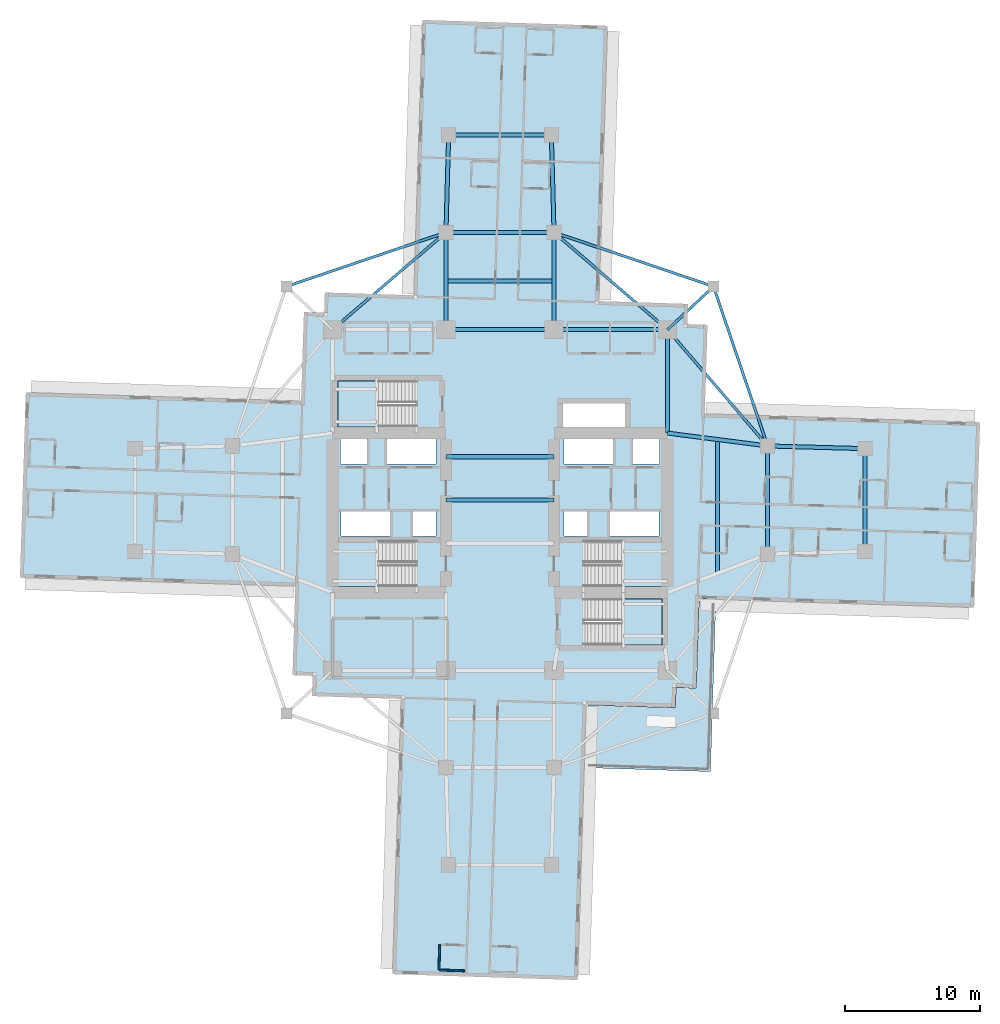
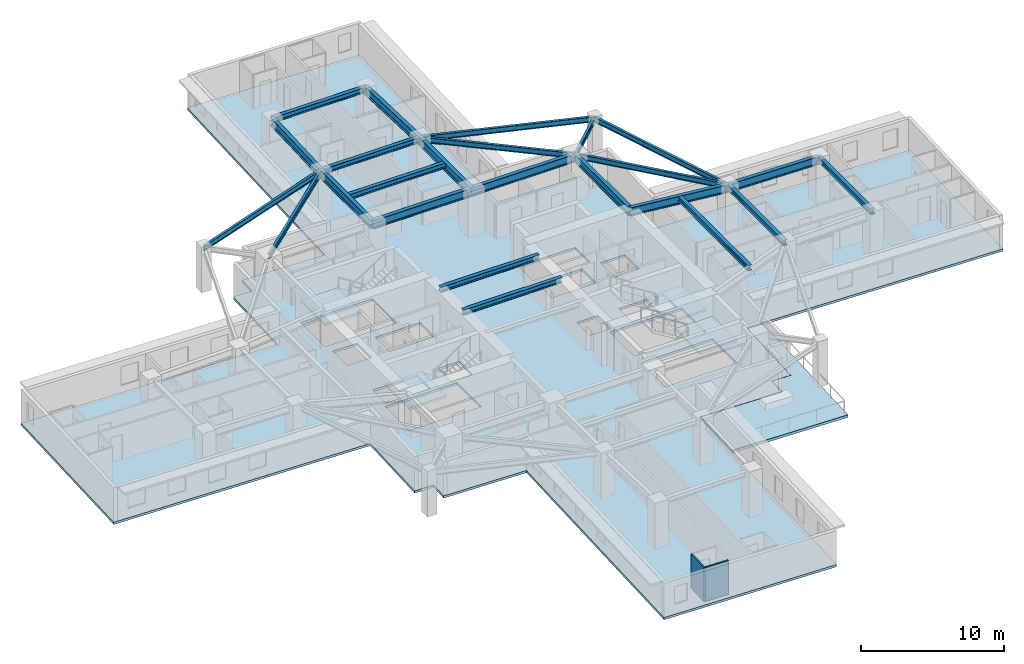
# One storey, part 2 of 13: 24 beams, 6 slabs, 2 walls, 4 elements without a shape of their own.
"""IFC4 building model written with IfcOpenShell, lengths in metres."""

from ifc_helpers import new_model, si_unit, direction, frame, frame_2d, origin, origin_2d, place, context, subcontext, project, spatial, polyline, rectangle, i_section, outline, extrude, material, layer, layer_set, material_profile, profile_set, type_object, element, aggregate, save


model = new_model("IFC4")

# Units and contexts
model_context = context("Model", 3, precision=1e-05, world=origin(), true_north=direction((0.0, 1.0)))
body_context = subcontext(model_context, "Body", "Model", "MODEL_VIEW")
ifc_project = project(units=[si_unit("LENGTHUNIT", "METRE"), si_unit("AREAUNIT", "SQUARE_METRE"), si_unit("VOLUMEUNIT", "CUBIC_METRE"), si_unit("PLANEANGLEUNIT", "RADIAN"), si_unit("MASSUNIT", "GRAM", prefix="KILO")], contexts=[model_context])

# Site, building, storey
site_placement = place(None, origin())
site = spatial("IfcSite", under=ifc_project, at=site_placement, CompositionType="ELEMENT")
building_placement = place(site_placement, origin())
building = spatial("IfcBuilding", under=site, at=building_placement, Name="Qingluan Cross Belvedere", CompositionType="ELEMENT")
storey_placement = place(building_placement, frame((0.0, 0.0, 71.699951171875)))
storey = spatial("IfcBuildingStorey", under=building, at=storey_placement, Name="L18", CompositionType="ELEMENT", Elevation=71.699951171875)

# Beams
ifc_material_1 = material(Name="Steel Q420GJB", Category="steel")
ifc_material_profile_1 = material_profile(ifc_material_1, i_section(OverallWidth=0.300048828125, OverallDepth=0.43994140625, WebThickness=0.010986328125, FlangeThickness=0.01806640625, FilletRadius=0.02001953125, at=origin_2d()), Name="HM440x300x11x18")
ifc_profile_set_1 = profile_set([ifc_material_profile_1], Name="Steel Q420GJB")
beam_type_1 = type_object("IfcBeamType", Name="Steel_Beam_HM440x300x11x18", PredefinedType="BEAM", material=ifc_profile_set_1)
for number, where, z_axis, x_axis, name in (
    (1, (-4.0, 0.0, 3.47998046875), (1.0, 0.0, 0.0), (0.0, 1.0, 0.0), "Hall beam L18-CH2"),
    (2, (-4.0, 3.199951171875, 3.47998046875), (1.0, 0.0, 0.0), (0.0, 1.0, 0.0), "Hall beam L18-CH3"),
    (3, (19.800048828125, -4.0, 3.47998046875), (0.0, 1.0, 0.0), (-1.0, 0.0, 0.0), "Arm E tie L18"),
):
    element("IfcBeam", number, at=place(storey_placement, frame(where, z_axis=z_axis, x_axis=x_axis)), inside=storey, type_object=beam_type_1, Name=name, PredefinedType="BEAM", context=body_context, shape_type="SweptSolid", body=[
        extrude(i_section(OverallWidth=0.300048828125, OverallDepth=0.43994140625, WebThickness=0.010986328125, FlangeThickness=0.01806640625, FilletRadius=0.02001953125, at=origin_2d()), origin(), (0.0, 0.0, 1.0), 8.0),
    ])
beam_1_placement = place(storey_placement, frame((16.10009765625, -5.425048828125, 3.47998046875), z_axis=(0.0, 1.0, 0.0), x_axis=(-1.0, 0.0, 0.0)))
element("IfcBeam", 4, at=beam_1_placement, inside=storey, type_object=beam_type_1, Name="Arm E beam L18", PredefinedType="BEAM", context=body_context, shape_type="SweptSolid", body=[
    extrude(i_section(OverallWidth=0.300048828125, OverallDepth=0.43994140625, WebThickness=0.010986328125, FlangeThickness=0.01806640625, FilletRadius=0.02001953125, at=origin_2d()), origin(), (0.0, 0.0, 1.0), 9.900146484375),
])
beam_2_placement = place(storey_placement, frame((27.0, -3.800048828125, 3.47998046875), z_axis=(0.0, 1.0, 0.0), x_axis=(-1.0, 0.0, 0.0)))
element("IfcBeam", 5, at=beam_2_placement, inside=storey, type_object=beam_type_1, Name="Arm E tip transverse beam L18", PredefinedType="BEAM", context=body_context, shape_type="SweptSolid", body=[
    extrude(i_section(OverallWidth=0.300048828125, OverallDepth=0.43994140625, WebThickness=0.010986328125, FlangeThickness=0.01806640625, FilletRadius=0.02001953125, at=origin_2d()), origin(), (0.0, 0.0, 1.0), 7.60009765625),
])
for number, where, z_axis, x_axis, name in (
    (6, (-4.0, 19.800048828125, 3.47998046875), (1.0, 0.0, 0.0), (0.0, 1.0, 0.0), "Arm N tie L18"),
    (7, (-4.0, 16.199951171875, 3.47998046875), (1.0, 0.0, 0.0), (0.0, 1.0, 0.0), "Arm N beam L18"),
):
    element("IfcBeam", number, at=place(storey_placement, frame(where, z_axis=z_axis, x_axis=x_axis)), inside=storey, type_object=beam_type_1, Name=name, PredefinedType="BEAM", context=body_context, shape_type="SweptSolid", body=[
        extrude(i_section(OverallWidth=0.300048828125, OverallDepth=0.43994140625, WebThickness=0.010986328125, FlangeThickness=0.01806640625, FilletRadius=0.02001953125, at=origin_2d()), origin(), (0.0, 0.0, 1.0), 8.0),
    ])
beam_3_placement = place(storey_placement, frame((-3.800048828125, 27.0, 3.47998046875), z_axis=(1.0, 0.0, 0.0), x_axis=(0.0, 1.0, 0.0)))
element("IfcBeam", 8, at=beam_3_placement, inside=storey, type_object=beam_type_1, Name="Arm N tip transverse beam L18", PredefinedType="BEAM", context=body_context, shape_type="SweptSolid", body=[
    extrude(i_section(OverallWidth=0.300048828125, OverallDepth=0.43994140625, WebThickness=0.010986328125, FlangeThickness=0.01806640625, FilletRadius=0.02001953125, at=origin_2d()), origin(), (0.0, 0.0, 1.0), 7.60009765625),
])
ifc_material_2 = material(Name="Steel Q420GJB", Category="steel")
ifc_material_profile_2 = material_profile(ifc_material_2, i_section(OverallWidth=0.199951171875, OverallDepth=0.449951171875, WebThickness=0.009033203125, FlangeThickness=0.013916015625, FilletRadius=0.01611328125, at=origin_2d()), Name="HN450x200x9x14")
ifc_profile_set_2 = profile_set([ifc_material_profile_2], Name="Steel Q420GJB")
beam_type_2 = type_object("IfcBeamType", Name="Steel_Beam_HN450x200x9x14", PredefinedType="JOIST", material=ifc_profile_set_2)
beam_4_placement = place(storey_placement, frame((12.39990234375, 12.60009765625, 3.455078125), z_axis=(0.728219948308, 0.685343495546, 0.0), x_axis=(-0.685343495546, 0.728219948308, 0.0)))
element("IfcBeam", 9, at=beam_4_placement, inside=storey, type_object=beam_type_2, Name="Corner beam 1 L18-RNE", PredefinedType="JOIST", context=body_context, shape_type="SweptSolid", body=[
    extrude(i_section(OverallWidth=0.199951171875, OverallDepth=0.449951171875, WebThickness=0.009033203125, FlangeThickness=0.013916015625, FilletRadius=0.01611328125, at=origin_2d()), origin(), (0.0, 0.0, 1.0), 4.669189453125),
])
for number, where, z_axis, x_axis, name in (
    (10, (15.800048828125, 15.800048828125, 3.47509765625), (-0.947066283324, 0.321038089628, 0.0), (-0.321038089628, -0.947066283324, 0.0), "Corner beam 2 L18-RNE"),
    (11, (15.800048828125, 15.800048828125, 3.455078125), (0.321038089628, -0.947066283324, 0.0), (0.947066283324, 0.321038089628, 0.0), "Corner beam 3 L18-RNE"),
):
    element("IfcBeam", number, at=place(storey_placement, frame(where, z_axis=z_axis, x_axis=x_axis)), inside=storey, type_object=beam_type_2, Name=name, PredefinedType="JOIST", context=body_context, shape_type="SweptSolid", body=[
        extrude(i_section(OverallWidth=0.199951171875, OverallDepth=0.449951171875, WebThickness=0.009033203125, FlangeThickness=0.013916015625, FilletRadius=0.01611328125, at=origin_2d()), origin(), (0.0, 0.0, 1.0), 12.45947265625),
    ])
beam_5_placement = place(storey_placement, frame((12.39990234375, 12.60009765625, 3.455078125), z_axis=(0.652245077546, -0.75800815221, 0.0), x_axis=(0.75800815221, 0.652245077546, 0.0)))
element("IfcBeam", 12, at=beam_5_placement, inside=storey, type_object=beam_type_2, Name="Corner beam 4 L18-RNE", PredefinedType="JOIST", context=body_context, shape_type="SweptSolid", body=[
    extrude(i_section(OverallWidth=0.199951171875, OverallDepth=0.449951171875, WebThickness=0.009033203125, FlangeThickness=0.013916015625, FilletRadius=0.01611328125, at=origin_2d()), origin(), (0.0, 0.0, 1.0), 11.345703125),
])
beam_6_placement = place(storey_placement, frame((12.39990234375, 12.60009765625, 3.455078125), z_axis=(-0.759255044656, 0.650793190779, 0.0), x_axis=(-0.650793190779, -0.759255044656, 0.0)))
element("IfcBeam", 13, at=beam_6_placement, inside=storey, type_object=beam_type_2, Name="Corner beam 5 L18-RNE", PredefinedType="JOIST", context=body_context, shape_type="SweptSolid", body=[
    extrude(i_section(OverallWidth=0.199951171875, OverallDepth=0.449951171875, WebThickness=0.009033203125, FlangeThickness=0.013916015625, FilletRadius=0.01611328125, at=origin_2d()), origin(), (0.0, 0.0, 1.0), 11.063232421875),
])
beam_7_placement = place(storey_placement, frame((-15.800048828125, 15.800048828125, 3.47509765625), z_axis=(0.947066283324, 0.321038089628, 0.0), x_axis=(-0.321038089628, 0.947066283324, 0.0)))
element("IfcBeam", 14, at=beam_7_placement, inside=storey, type_object=beam_type_2, Name="Corner beam 2 L18-RNW", PredefinedType="JOIST", context=body_context, shape_type="SweptSolid", body=[
    extrude(i_section(OverallWidth=0.199951171875, OverallDepth=0.449951171875, WebThickness=0.009033203125, FlangeThickness=0.013916015625, FilletRadius=0.01611328125, at=origin_2d()), origin(), (0.0, 0.0, 1.0), 12.45947265625),
])
beam_8_placement = place(storey_placement, frame((-12.39990234375, 12.60009765625, 3.47509765625), z_axis=(0.759255044656, 0.650793190779, 0.0), x_axis=(-0.650793190779, 0.759255044656, 0.0)))
element("IfcBeam", 15, at=beam_8_placement, inside=storey, type_object=beam_type_2, Name="Corner beam 5 L18-RNW", PredefinedType="JOIST", context=body_context, shape_type="SweptSolid", body=[
    extrude(i_section(OverallWidth=0.199951171875, OverallDepth=0.449951171875, WebThickness=0.009033203125, FlangeThickness=0.013916015625, FilletRadius=0.01611328125, at=origin_2d()), origin(), (0.0, 0.0, 1.0), 11.063232421875),
])
ifc_material_3 = material(Name="Steel Q420GJB", Category="steel")
ifc_material_profile_3 = material_profile(ifc_material_3, i_section(OverallWidth=0.300048828125, OverallDepth=0.699951171875, WebThickness=0.014892578125, FlangeThickness=0.027099609375, FilletRadius=0.027099609375, at=origin_2d()), Name="HEB700")
ifc_profile_set_3 = profile_set([ifc_material_profile_3], Name="Steel Q420GJB")
beam_type_3 = type_object("IfcBeamType", Name="Steel_Girder_HEB700", PredefinedType="USERDEFINED", material=ifc_profile_set_3)
beam_9_placement = place(storey_placement, frame((-4.0, 12.60009765625, 3.35009765625), z_axis=(1.0, 0.0, 0.0), x_axis=(0.0, 1.0, 0.0)))
element("IfcBeam", 16, at=beam_9_placement, inside=storey, type_object=beam_type_3, Name="Hub girder L18-HG-N2", ObjectType="GIRDER", PredefinedType="USERDEFINED", context=body_context, shape_type="SweptSolid", body=[
    extrude(i_section(OverallWidth=0.300048828125, OverallDepth=0.699951171875, WebThickness=0.014892578125, FlangeThickness=0.027099609375, FilletRadius=0.027099609375, at=origin_2d()), origin(), (0.0, 0.0, 1.0), 8.0),
])
beam_10_placement = place(storey_placement, frame((4.0, 12.60009765625, 3.35009765625), z_axis=(1.0, 0.0, 0.0), x_axis=(0.0, 1.0, 0.0)))
element("IfcBeam", 17, at=beam_10_placement, inside=storey, type_object=beam_type_3, Name="Hub girder L18-HG-N3", ObjectType="GIRDER", PredefinedType="USERDEFINED", context=body_context, shape_type="SweptSolid", body=[
    extrude(i_section(OverallWidth=0.300048828125, OverallDepth=0.699951171875, WebThickness=0.014892578125, FlangeThickness=0.027099609375, FilletRadius=0.027099609375, at=origin_2d()), origin(), (0.0, 0.0, 1.0), 8.39990234375),
])
beam_11_placement = place(storey_placement, frame((12.39990234375, 4.949951171875, 3.35009765625), z_axis=(0.0, 1.0, 0.0), x_axis=(-1.0, 0.0, 0.0)))
element("IfcBeam", 18, at=beam_11_placement, inside=storey, type_object=beam_type_3, Name="Hub girder L18-HG-E2", ObjectType="GIRDER", PredefinedType="USERDEFINED", context=body_context, shape_type="SweptSolid", body=[
    extrude(i_section(OverallWidth=0.300048828125, OverallDepth=0.699951171875, WebThickness=0.014892578125, FlangeThickness=0.027099609375, FilletRadius=0.027099609375, at=origin_2d()), origin(), (0.0, 0.0, 1.0), 7.650146484375),
])
beam_12_placement = place(storey_placement, frame((12.39990234375, 4.949951171875, 3.35009765625), z_axis=(0.991861120628, -0.12732445714, 0.0), x_axis=(0.12732445714, 0.991861120628, 0.0)))
element("IfcBeam", 19, at=beam_12_placement, inside=storey, type_object=beam_type_3, Name="Arm E radial girder B L18", ObjectType="GIRDER", PredefinedType="USERDEFINED", context=body_context, shape_type="SweptSolid", body=[
    extrude(i_section(OverallWidth=0.300048828125, OverallDepth=0.699951171875, WebThickness=0.014892578125, FlangeThickness=0.027099609375, FilletRadius=0.027099609375, at=origin_2d()), origin(), (0.0, 0.0, 1.0), 7.4609375),
])
beam_13_placement = place(storey_placement, frame((19.800048828125, 4.0, 3.35009765625), z_axis=(0.999614603568, -0.027760481514, 0.0), x_axis=(0.027760481514, 0.999614603568, 0.0)))
element("IfcBeam", 20, at=beam_13_placement, inside=storey, type_object=beam_type_3, Name="Arm E outer radial girder B L18", ObjectType="GIRDER", PredefinedType="USERDEFINED", context=body_context, shape_type="SweptSolid", body=[
    extrude(i_section(OverallWidth=0.300048828125, OverallDepth=0.699951171875, WebThickness=0.014892578125, FlangeThickness=0.027099609375, FilletRadius=0.027099609375, at=origin_2d()), origin(), (0.0, 0.0, 1.0), 7.20263671875),
])
for number, where, z_axis, x_axis, name in (
    (21, (-4.0, 12.60009765625, 3.35009765625), (0.0, 1.0, 0.0), (-1.0, 0.0, 0.0), "Arm N radial girder A L18"),
    (22, (4.0, 12.60009765625, 3.35009765625), (0.0, 1.0, 0.0), (-1.0, 0.0, 0.0), "Arm N radial girder B L18"),
):
    element("IfcBeam", number, at=place(storey_placement, frame(where, z_axis=z_axis, x_axis=x_axis)), inside=storey, type_object=beam_type_3, Name=name, ObjectType="GIRDER", PredefinedType="USERDEFINED", context=body_context, shape_type="SweptSolid", body=[
        extrude(i_section(OverallWidth=0.300048828125, OverallDepth=0.699951171875, WebThickness=0.014892578125, FlangeThickness=0.027099609375, FilletRadius=0.027099609375, at=origin_2d()), origin(), (0.0, 0.0, 1.0), 7.199951171875),
    ])
for number, where, z_axis, x_axis, name in (
    (23, (-4.0, 19.800048828125, 3.35009765625), (0.027760481514, 0.999614603568, 0.0), (-0.999614603568, 0.027760481514, 0.0), "Arm N outer radial girder A L18"),
    (24, (4.0, 19.800048828125, 3.35009765625), (-0.027760481514, 0.999614603568, 0.0), (-0.999614603568, -0.027760481514, 0.0), "Arm N outer radial girder B L18"),
):
    element("IfcBeam", number, at=place(storey_placement, frame(where, z_axis=z_axis, x_axis=x_axis)), inside=storey, type_object=beam_type_3, Name=name, ObjectType="GIRDER", PredefinedType="USERDEFINED", context=body_context, shape_type="SweptSolid", body=[
        extrude(i_section(OverallWidth=0.300048828125, OverallDepth=0.699951171875, WebThickness=0.014892578125, FlangeThickness=0.027099609375, FilletRadius=0.027099609375, at=origin_2d()), origin(), (0.0, 0.0, 1.0), 7.20263671875),
    ])

# Slab
ifc_material_4 = material(Name="Concrete C40", Category="concrete")
ifc_layer_1 = layer(ifc_material_4, 0.199951171875, Name="FloorSlab_200")
ifc_layer_set_1 = layer_set([ifc_layer_1], Name="Concrete C40")
slab_type_1 = type_object("IfcSlabType", Name="FloorSlab_200", PredefinedType="FLOOR", material=ifc_layer_set_1)
slab_1_placement = place(storey_placement, frame((0.0, 0.0, -0.199951171875)))
element("IfcSlab", 25, at=slab_1_placement, inside=storey, type_object=slab_type_1, Name="Structural floor slab L18", PredefinedType="FLOOR", context=body_context, shape_type="SweptSolid", body=[
    extrude(outline(polyline([(5.747314453125, -35.51806640625), (6.38720703125, -15.148193359375), (12.964111328125, -15.354736328125), (13.01123046875, -13.85546875), (14.510498046875, -13.902587890625), (14.71728515625, -7.325927734375), (35.087158203125, -7.966064453125), (35.51806640625, 5.747314453125), (15.148193359375, 6.38720703125), (15.354736328125, 12.964111328125), (13.85546875, 13.01123046875), (13.902587890625, 14.510498046875), (7.325927734375, 14.71728515625), (7.966064453125, 35.087158203125), (-5.747314453125, 35.51806640625), (-6.38720703125, 15.148193359375), (-12.964111328125, 15.354736328125), (-13.01123046875, 13.85546875), (-14.510498046875, 13.902587890625), (-14.71728515625, 7.325927734375), (-35.087158203125, 7.966064453125), (-35.51806640625, -5.747314453125), (-15.148193359375, -6.38720703125), (-15.354736328125, -12.964111328125), (-13.85546875, -13.01123046875), (-13.902587890625, -14.510498046875), (-7.325927734375, -14.71728515625), (-7.966064453125, -35.087158203125), (5.747314453125, -35.51806640625)]), holes=[polyline([(-12.0, -3.0), (-6.179931640625, -3.0), (-6.179931640625, -6.39990234375), (-12.0, -6.39990234375), (-12.0, -3.0)]), polyline([(6.179931640625, -3.0), (12.0, -3.0), (12.0, -6.39990234375), (6.179931640625, -6.39990234375), (6.179931640625, -3.0)]), polyline([(-12.0, 8.820068359375), (-6.179931640625, 8.820068359375), (-6.179931640625, 5.419921875), (-12.0, 5.419921875), (-12.0, 8.820068359375)]), polyline([(6.179931640625, -7.320068359375), (12.0, -7.320068359375), (12.0, -10.719970703125), (6.179931640625, -10.719970703125), (6.179931640625, -7.320068359375)]), polyline([(-11.800048828125, 4.64990234375), (-9.85009765625, 4.64990234375), (-9.85009765625, 2.64990234375), (-11.800048828125, 2.64990234375), (-11.800048828125, 4.64990234375)]), polyline([(-8.35009765625, 4.64990234375), (-4.75, 4.64990234375), (-4.75, 2.64990234375), (-8.35009765625, 2.64990234375), (-8.35009765625, 4.64990234375)]), polyline([(4.75, 4.64990234375), (8.35009765625, 4.64990234375), (8.35009765625, 2.64990234375), (4.75, 2.64990234375), (4.75, 4.64990234375)]), polyline([(9.85009765625, 4.64990234375), (11.800048828125, 4.64990234375), (11.800048828125, 2.64990234375), (9.85009765625, 2.64990234375), (9.85009765625, 4.64990234375)]), polyline([(-11.75, -0.840087890625), (-8.14990234375, -0.840087890625), (-8.14990234375, -2.659912109375), (-11.75, -2.659912109375), (-11.75, -0.840087890625)]), polyline([(-6.449951171875, -0.840087890625), (-4.75, -0.840087890625), (-4.75, -2.659912109375), (-6.449951171875, -2.659912109375), (-6.449951171875, -0.840087890625)]), polyline([(4.75, -0.840087890625), (6.449951171875, -0.840087890625), (6.449951171875, -2.659912109375), (4.75, -2.659912109375), (4.75, -0.840087890625)]), polyline([(8.14990234375, -0.840087890625), (11.75, -0.840087890625), (11.75, -2.659912109375), (8.14990234375, -2.659912109375), (8.14990234375, -0.840087890625)]), polyline([(4.64990234375, 7.14990234375), (9.25, 7.14990234375), (9.25, 5.14990234375), (4.64990234375, 5.14990234375), (4.64990234375, 7.14990234375)])]), origin(), (0.0, 0.0, 1.0), 0.199951171875),
])

# Stair, slab
ifc_material_5 = material(Name="Concrete C40", Category="concrete")
stair_type = type_object("IfcStairType", Name="CoreDoglegStair_1620", PredefinedType="HALF_TURN_STAIR", material=ifc_material_5)
stair_1_placement = place(storey_placement, origin())
stair_1 = element("IfcStair", 26, at=stair_1_placement, inside=storey, type_object=stair_type, Name="L18 ST1", PredefinedType="HALF_TURN_STAIR")
ifc_material_6 = material(Name="Concrete C40", Category="concrete")
ifc_layer_2 = layer(ifc_material_6, 0.179931640625, Name="StairLandingSlab_180")
ifc_layer_set_2 = layer_set([ifc_layer_2], Name="Concrete C40")
slab_type_2 = type_object("IfcSlabType", Name="StairLandingSlab_180", PredefinedType="LANDING", material=ifc_layer_set_2)
slab_2_placement = place(storey_placement, frame((0.0, 0.0, 1.75)))
slab_2 = element("IfcSlab", 27, at=slab_2_placement, type_object=slab_type_2, Name="ST1 landing 1", PredefinedType="LANDING", context=body_context, shape_type="SweptSolid", body=[
    extrude(outline(polyline([(-8.97998046875, -3.0), (-12.0, -3.0), (-12.0, -6.39990234375), (-8.97998046875, -6.39990234375), (-8.97998046875, -3.0)])), origin(), (0.0, 0.0, 1.0), 0.199951171875),
])
aggregate(stair_1, [slab_2])

stair_2_placement = place(storey_placement, origin())
stair_2 = element("IfcStair", 28, at=stair_2_placement, inside=storey, type_object=stair_type, Name="L18 ST2", PredefinedType="HALF_TURN_STAIR")
slab_3_placement = place(storey_placement, frame((0.0, 0.0, 1.75)))
slab_3 = element("IfcSlab", 29, at=slab_3_placement, type_object=slab_type_2, Name="ST2 landing 1", PredefinedType="LANDING", context=body_context, shape_type="SweptSolid", body=[
    extrude(outline(polyline([(8.97998046875, -6.39990234375), (12.0, -6.39990234375), (12.0, -3.0), (8.97998046875, -3.0), (8.97998046875, -6.39990234375)])), origin(), (0.0, 0.0, 1.0), 0.199951171875),
])
aggregate(stair_2, [slab_3])

stair_3_placement = place(storey_placement, origin())
stair_3 = element("IfcStair", 30, at=stair_3_placement, inside=storey, type_object=stair_type, Name="L18 ST3", PredefinedType="HALF_TURN_STAIR")
slab_4_placement = place(storey_placement, frame((0.0, 0.0, 1.75)))
slab_4 = element("IfcSlab", 31, at=slab_4_placement, type_object=slab_type_2, Name="ST3 landing 1", PredefinedType="LANDING", context=body_context, shape_type="SweptSolid", body=[
    extrude(outline(polyline([(-8.97998046875, 8.820068359375), (-12.0, 8.820068359375), (-12.0, 5.419921875), (-8.97998046875, 5.419921875), (-8.97998046875, 8.820068359375)])), origin(), (0.0, 0.0, 1.0), 0.199951171875),
])
aggregate(stair_3, [slab_4])

stair_4_placement = place(storey_placement, origin())
stair_4 = element("IfcStair", 32, at=stair_4_placement, inside=storey, type_object=stair_type, Name="L18 ST4", PredefinedType="HALF_TURN_STAIR")
slab_5_placement = place(storey_placement, frame((0.0, 0.0, 1.75)))
slab_5 = element("IfcSlab", 33, at=slab_5_placement, type_object=slab_type_2, Name="ST4 landing 1", PredefinedType="LANDING", context=body_context, shape_type="SweptSolid", body=[
    extrude(outline(polyline([(8.97998046875, -10.719970703125), (12.0, -10.719970703125), (12.0, -7.320068359375), (8.97998046875, -7.320068359375), (8.97998046875, -10.719970703125)])), origin(), (0.0, 0.0, 1.0), 0.199951171875),
])
aggregate(stair_4, [slab_5])

# Slab
ifc_material_7 = material(Name="Concrete C40", Category="concrete")
ifc_layer_3 = layer(ifc_material_7, 0.219970703125, Name="TerraceSlab_220")
ifc_layer_set_3 = layer_set([ifc_layer_3], Name="Concrete C40")
slab_type_3 = type_object("IfcSlabType", Name="TerraceSlab_220", PredefinedType="FLOOR", material=ifc_layer_set_3)
slab_6_placement = place(storey_placement, frame((0.0, 0.0, -0.219970703125)))
element("IfcSlab", 34, at=slab_6_placement, inside=storey, type_object=slab_type_3, Name="Spiralling winter-garden terrace slab L18", PredefinedType="FLOOR", context=body_context, shape_type="SweptSolid", body=[
    extrude(outline(polyline([(14.72265625, -7.466064453125), (14.5185546875, -13.908447265625), (13.02099609375, -13.86572265625), (12.97412109375, -15.35498046875), (12.9658203125, -15.36474609375), (6.527099609375, -15.16259765625), (6.380859375, -19.810302734375), (15.576416015625, -20.09912109375), (15.97216796875, -7.50537109375), (14.72265625, -7.466064453125)])), origin(), (0.0, 0.0, 1.0), 0.219970703125),
])

# Walls
ifc_material_8 = material(Name="Moisture-resistant gypsum board lining")
ifc_layer_4 = layer(ifc_material_8, 0.1201171875, Name="EnsuiteWetPartition_120")
ifc_layer_set_4 = layer_set([ifc_layer_4], Name="Moisture-resistant gypsum board lining")
wall_type = type_object("IfcWallType", Name="EnsuiteWetPartition_120", PredefinedType="PARTITIONING", material=ifc_layer_set_4)
wall_1_placement = place(storey_placement, frame((-4.45458984375, -34.777099609375, 0.0), z_axis=(0.0, 0.0, 1.0), x_axis=(0.999503004171, -0.03152371574, 0.0)))
element("IfcWall", 35, at=wall_1_placement, inside=storey, type_object=wall_type, Name="Partition L18:S:bw1_0", PredefinedType="PARTITIONING", context=body_context, shape_type="SweptSolid", body=[
    extrude(rectangle(XDim=1.820068359375, YDim=0.1201171875, at=frame_2d((0.91015625, 0.0))), origin(), (0.0, 0.0, 1.0), 2.900146484375),
])
wall_2_placement = place(storey_placement, frame((-4.46044921875, -32.89599609375, 0.0), z_axis=(0.0, 0.0, 1.0), x_axis=(-0.031425292588, -0.999506103526, 0.0)))
element("IfcWall", 36, at=wall_2_placement, inside=storey, type_object=wall_type, Name="Partition L18:S:bc1_0", PredefinedType="PARTITIONING", context=body_context, shape_type="SweptSolid", body=[
    extrude(rectangle(XDim=1.880126953125, YDim=0.1201171875, at=frame_2d((0.93994140625, 0.0))), origin(), (0.0, 0.0, 1.0), 2.900146484375),
])

save(model, "model.ifc")
